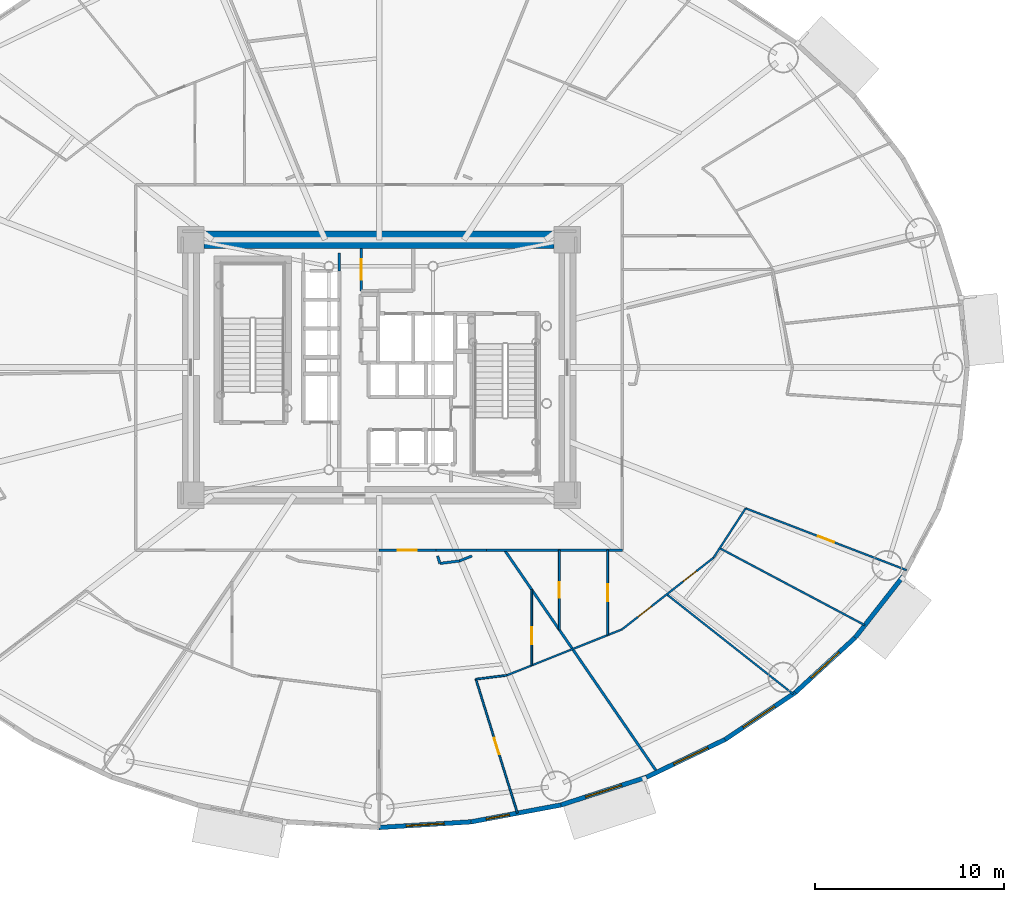
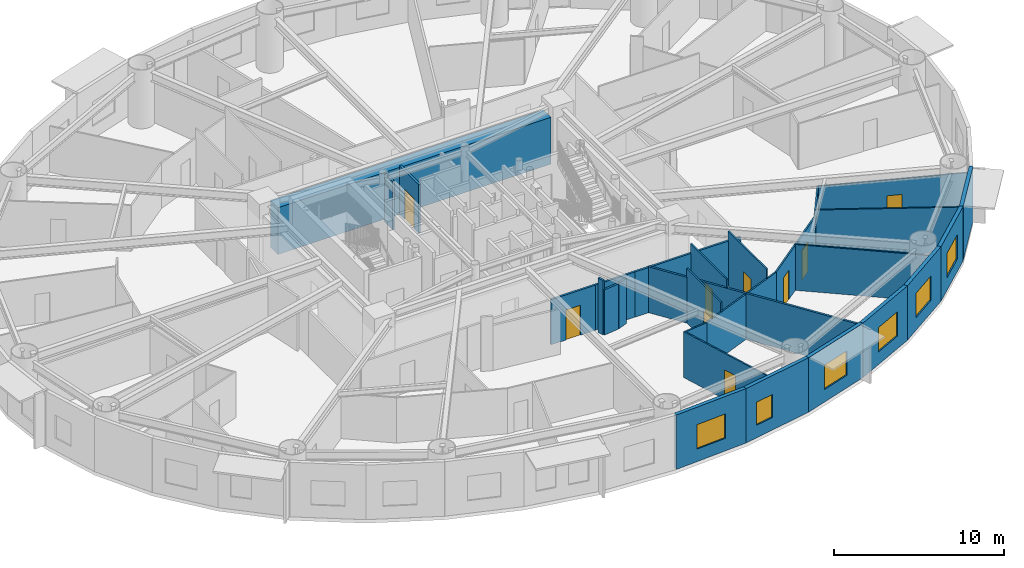
# One storey, part 10 of 21: 28 walls, 9 doors, 6 windows, 15 openings.
"""IFC4 building model written with IfcOpenShell, lengths in metres."""

from ifc_helpers import new_model, si_unit, direction, frame, frame_2d, origin, origin_2d, place, context, subcontext, project, spatial, rectangle, extrude, source, transform, mapped, material, layer, layer_set, type_object, element, fill, save


model = new_model("IFC4")

# Units and contexts
model_context = context("Model", 3, precision=1e-05, world=origin(), true_north=direction((0.0, 1.0)))
body_context = subcontext(model_context, "Body", "Model", "MODEL_VIEW")
ifc_project = project(units=[si_unit("LENGTHUNIT", "METRE"), si_unit("AREAUNIT", "SQUARE_METRE"), si_unit("VOLUMEUNIT", "CUBIC_METRE"), si_unit("PLANEANGLEUNIT", "RADIAN"), si_unit("MASSUNIT", "GRAM", prefix="KILO")], contexts=[model_context])

# Site, building, storey
site_placement = place(None, origin())
site = spatial("IfcSite", under=ifc_project, at=site_placement, CompositionType="ELEMENT")
building_placement = place(site_placement, origin())
building = spatial("IfcBuilding", under=site, at=building_placement, Name="Linh Dai School and Residence Tower", CompositionType="ELEMENT")
storey_placement = place(building_placement, frame((0.0, 0.0, 82.800048828125)))
storey = spatial("IfcBuildingStorey", under=building, at=storey_placement, Name="L19", CompositionType="ELEMENT", Elevation=82.800048828125)

# Wall, opening, window
ifc_material_1 = material(Name="Precast Concrete B45 (C35/45)", Category="concrete")
ifc_layer_1 = layer(ifc_material_1, 0.239990234375)
ifc_layer_set_1 = layer_set([ifc_layer_1], Name="Precast Concrete B45 (C35/45)")
wall_type_1 = type_object("IfcWallType", Name="EW-TC-240", PredefinedType="SOLIDWALL", material=ifc_layer_set_1)
wall_1_placement = place(storey_placement, frame((40.865478515625, 2.994873046875, 0.0), z_axis=(0.0, 0.0, 1.0), x_axis=(-0.998106954071, -0.061502099433, 0.0)))
wall_1 = element("IfcWall", 1, at=wall_1_placement, inside=storey, type_object=wall_type_1, Name="L19 Terracotta Exterior Wall 31", PredefinedType="SOLIDWALL", context=body_context, shape_type="SweptSolid", body=[
    extrude(rectangle(XDim=4.874755859375, YDim=0.239990234375, at=frame_2d((2.4375, 0.0))), origin(), (0.0, 0.0, 1.0), 3.89990234375),
])
opening_1_placement = place(wall_1_placement, frame((1.437255859375, 0.0, 0.89990234375)))
opening_1 = element("IfcOpeningElement", 2, at=opening_1_placement, cuts=wall_1, Name="Opening W1", PredefinedType="OPENING", context=body_context, shape_type="SweptSolid", body=[
    extrude(rectangle(XDim=2.0, YDim=1.75, at=origin_2d()), frame((1.0, 0.1298828125, 0.875), z_axis=(0.0, -1.0, 0.0), x_axis=(1.0, 0.0, 0.0)), (0.0, 0.0, 1.0), 0.260009765625),
])
ifc_material_2 = material(Name="Double Low-E Insulated Glazing", Category="glass")
window_type_1 = type_object("IfcWindowType", Name="WN-RES-2000x1750", PartitioningType="DOUBLE_PANEL_VERTICAL", PredefinedType="WINDOW", material=ifc_material_2)
shared_shape_1 = source(origin(), body_context, "Body", "SweptSolid", [
    extrude(rectangle(XDim=2.0, YDim=1.75, at=origin_2d()), frame((1.0, 0.030029296875, 0.875), z_axis=(0.0, -1.0, 0.0), x_axis=(1.0, 0.0, 0.0)), (0.0, 0.0, 1.0), 0.06005859375),
])
window_1_placement = place(opening_1_placement, origin())
window_1 = element("IfcWindow", 3, at=window_1_placement, inside=storey, type_object=window_type_1, Name="L19 Exterior Window 31.1", OverallHeight=1.75, OverallWidth=2.0, PartitioningType="DOUBLE_PANEL_VERTICAL", PredefinedType="WINDOW", context=body_context, shape_type="MappedRepresentation", body=[
    mapped(shared_shape_1, transform((0.0, 0.0, 0.0), x_axis=(1.0, 0.0, 0.0), y_axis=(0.0, 1.0, 0.0), z_axis=(0.0, 0.0, 1.0), scale=1.0)),
])
fill(opening_1, window_1)

wall_2_placement = place(storey_placement, frame((45.610595703125, 3.88671875, 0.0), z_axis=(0.0, 0.0, 1.0), x_axis=(-0.982791952378, -0.184715939598, 0.0)))
wall_2 = element("IfcWall", 4, at=wall_2_placement, inside=storey, type_object=wall_type_1, Name="L19 Terracotta Exterior Wall 32", PredefinedType="SOLIDWALL", context=body_context, shape_type="SweptSolid", body=[
    extrude(rectangle(XDim=4.828125, YDim=0.239990234375, at=frame_2d((2.4140625, 0.0))), origin(), (0.0, 0.0, 1.0), 3.89990234375),
])
opening_2_placement = place(wall_2_placement, frame((2.773193359375, 0.0, 0.89990234375)))
opening_2 = element("IfcOpeningElement", 5, at=opening_2_placement, cuts=wall_2, Name="Opening W3", PredefinedType="OPENING", context=body_context, shape_type="SweptSolid", body=[
    extrude(rectangle(XDim=1.25, YDim=1.64990234375, at=origin_2d()), frame((0.625, 0.1298828125, 0.824951171875), z_axis=(0.0, -1.0, 0.0), x_axis=(1.0, 0.0, 0.0)), (0.0, 0.0, 1.0), 0.260009765625),
])
window_type_2 = type_object("IfcWindowType", Name="WN-RES-1250x1650", PartitioningType="SINGLE_PANEL", PredefinedType="WINDOW", material=ifc_material_2)
shared_shape_2 = source(origin(), body_context, "Body", "SweptSolid", [
    extrude(rectangle(XDim=1.25, YDim=1.64990234375, at=origin_2d()), frame((0.625, 0.030029296875, 0.824951171875), z_axis=(0.0, -1.0, 0.0), x_axis=(1.0, 0.0, 0.0)), (0.0, 0.0, 1.0), 0.06005859375),
])
window_2_placement = place(opening_2_placement, origin())
window_2 = element("IfcWindow", 6, at=window_2_placement, inside=storey, type_object=window_type_2, Name="L19 Exterior Window 32.1", OverallHeight=1.64990234375, OverallWidth=1.25, PartitioningType="SINGLE_PANEL", PredefinedType="WINDOW", context=body_context, shape_type="MappedRepresentation", body=[
    mapped(shared_shape_2, transform((0.0, 0.0, 0.0), x_axis=(1.0, 0.0, 0.0), y_axis=(0.0, 1.0, 0.0), z_axis=(0.0, 0.0, 1.0), scale=1.0)),
])
fill(opening_2, window_2)

wall_3_placement = place(storey_placement, frame((50.1181640625, 5.348876953125, 0.0), z_axis=(0.0, 0.0, 1.0), x_axis=(-0.951207699013, -0.308551313946, 0.0)))
wall_3 = element("IfcWall", 7, at=wall_3_placement, inside=storey, type_object=wall_type_1, Name="L19 Terracotta Exterior Wall 33", PredefinedType="SOLIDWALL", context=body_context, shape_type="SweptSolid", body=[
    extrude(rectangle(XDim=4.73876953125, YDim=0.239990234375, at=frame_2d((2.369384765625, 0.0))), origin(), (0.0, 0.0, 1.0), 3.89990234375),
])
opening_3_placement = place(wall_3_placement, frame((1.369384765625, 0.0, 0.89990234375)))
opening_3 = element("IfcOpeningElement", 8, at=opening_3_placement, cuts=wall_3, Name="Opening W1", PredefinedType="OPENING", context=body_context, shape_type="SweptSolid", body=[
    extrude(rectangle(XDim=2.0, YDim=1.75, at=origin_2d()), frame((1.0, 0.1298828125, 0.875), z_axis=(0.0, -1.0, 0.0), x_axis=(1.0, 0.0, 0.0)), (0.0, 0.0, 1.0), 0.260009765625),
])
window_3_placement = place(opening_3_placement, origin())
window_3 = element("IfcWindow", 9, at=window_3_placement, inside=storey, type_object=window_type_1, Name="L19 Exterior Window 33.1", OverallHeight=1.75, OverallWidth=2.0, PartitioningType="DOUBLE_PANEL_VERTICAL", PredefinedType="WINDOW", context=body_context, shape_type="MappedRepresentation", body=[
    mapped(shared_shape_1, transform((0.0, 0.0, 0.0), x_axis=(1.0, 0.0, 0.0), y_axis=(0.0, 1.0, 0.0), z_axis=(0.0, 0.0, 1.0), scale=1.0)),
])
fill(opening_3, window_3)

wall_4_placement = place(storey_placement, frame((54.277099609375, 7.34423828125, 0.0), z_axis=(0.0, 0.0, 1.0), x_axis=(-0.901601503137, -0.432567601123, 0.0)))
wall_4 = element("IfcWall", 10, at=wall_4_placement, inside=storey, type_object=wall_type_1, Name="L19 Terracotta Exterior Wall 34", PredefinedType="SOLIDWALL", context=body_context, shape_type="SweptSolid", body=[
    extrude(rectangle(XDim=4.61279296875, YDim=0.239990234375, at=frame_2d((2.306396484375, 0.0))), origin(), (0.0, 0.0, 1.0), 3.89990234375),
])
opening_4_placement = place(wall_4_placement, frame((1.004150390625, 0.0, 0.89990234375)))
opening_4 = element("IfcOpeningElement", 11, at=opening_4_placement, cuts=wall_4, Name="Opening W1", PredefinedType="OPENING", context=body_context, shape_type="SweptSolid", body=[
    extrude(rectangle(XDim=2.0, YDim=1.75, at=origin_2d()), frame((1.0, 0.1298828125, 0.875), z_axis=(0.0, -1.0, 0.0), x_axis=(1.0, 0.0, 0.0)), (0.0, 0.0, 1.0), 0.260009765625),
])
window_4_placement = place(opening_4_placement, origin())
window_4 = element("IfcWindow", 12, at=window_4_placement, inside=storey, type_object=window_type_1, Name="L19 Exterior Window 34.1", OverallHeight=1.75, OverallWidth=2.0, PartitioningType="DOUBLE_PANEL_VERTICAL", PredefinedType="WINDOW", context=body_context, shape_type="MappedRepresentation", body=[
    mapped(shared_shape_1, transform((0.0, 0.0, 0.0), x_axis=(1.0, 0.0, 0.0), y_axis=(0.0, 1.0, 0.0), z_axis=(0.0, 0.0, 1.0), scale=1.0)),
])
fill(opening_4, window_4)

wall_5_placement = place(storey_placement, frame((57.984619140625, 9.82373046875, 0.0), z_axis=(0.0, 0.0, 1.0), x_axis=(-0.831240982525, -0.555912249343, 0.0)))
wall_5 = element("IfcWall", 13, at=wall_5_placement, inside=storey, type_object=wall_type_1, Name="L19 Terracotta Exterior Wall 35", PredefinedType="SOLIDWALL", context=body_context, shape_type="SweptSolid", body=[
    extrude(rectangle(XDim=4.460205078125, YDim=0.239990234375, at=frame_2d((2.22998046875, 0.0))), origin(), (0.0, 0.0, 1.0), 3.89990234375),
])
opening_5_placement = place(wall_5_placement, frame((1.3125, 0.0, 0.89990234375)))
opening_5 = element("IfcOpeningElement", 14, at=opening_5_placement, cuts=wall_5, Name="Opening W1", PredefinedType="OPENING", context=body_context, shape_type="SweptSolid", body=[
    extrude(rectangle(XDim=2.0, YDim=1.75, at=origin_2d()), frame((1.0, 0.1298828125, 0.875), z_axis=(0.0, -1.0, 0.0), x_axis=(1.0, 0.0, 0.0)), (0.0, 0.0, 1.0), 0.260009765625),
])
window_5_placement = place(opening_5_placement, origin())
window_5 = element("IfcWindow", 15, at=window_5_placement, inside=storey, type_object=window_type_1, Name="L19 Exterior Window 35.1", OverallHeight=1.75, OverallWidth=2.0, PartitioningType="DOUBLE_PANEL_VERTICAL", PredefinedType="WINDOW", context=body_context, shape_type="MappedRepresentation", body=[
    mapped(shared_shape_1, transform((0.0, 0.0, 0.0), x_axis=(1.0, 0.0, 0.0), y_axis=(0.0, 1.0, 0.0), z_axis=(0.0, 0.0, 1.0), scale=1.0)),
])
fill(opening_5, window_5)

wall_6_placement = place(storey_placement, frame((61.149658203125, 12.725341796875, 0.0), z_axis=(0.0, 0.0, 1.0), x_axis=(-0.737116376281, -0.67576582321, 0.0)))
wall_6 = element("IfcWall", 16, at=wall_6_placement, inside=storey, type_object=wall_type_1, Name="L19 Terracotta Exterior Wall 36", PredefinedType="SOLIDWALL", context=body_context, shape_type="SweptSolid", body=[
    extrude(rectangle(XDim=4.293701171875, YDim=0.239990234375, at=frame_2d((2.14697265625, 0.0))), origin(), (0.0, 0.0, 1.0), 3.89990234375),
])
opening_6_placement = place(wall_6_placement, frame((1.147216796875, 0.0, 0.89990234375)))
opening_6 = element("IfcOpeningElement", 17, at=opening_6_placement, cuts=wall_6, Name="Opening W1", PredefinedType="OPENING", context=body_context, shape_type="SweptSolid", body=[
    extrude(rectangle(XDim=2.0, YDim=1.75, at=origin_2d()), frame((1.0, 0.1298828125, 0.875), z_axis=(0.0, -1.0, 0.0), x_axis=(1.0, 0.0, 0.0)), (0.0, 0.0, 1.0), 0.260009765625),
])
window_6_placement = place(opening_6_placement, origin())
window_6 = element("IfcWindow", 18, at=window_6_placement, inside=storey, type_object=window_type_1, Name="L19 Exterior Window 36.1", OverallHeight=1.75, OverallWidth=2.0, PartitioningType="DOUBLE_PANEL_VERTICAL", PredefinedType="WINDOW", context=body_context, shape_type="MappedRepresentation", body=[
    mapped(shared_shape_1, transform((0.0, 0.0, 0.0), x_axis=(1.0, 0.0, 0.0), y_axis=(0.0, 1.0, 0.0), z_axis=(0.0, 0.0, 1.0), scale=1.0)),
])
fill(opening_6, window_6)

# Wall
wall_7_placement = place(storey_placement, frame((63.694580078125, 15.977294921875, 0.0), z_axis=(0.0, 0.0, 1.0), x_axis=(-0.616295508253, -0.787514981767, 0.0)))
element("IfcWall", 19, at=wall_7_placement, inside=storey, type_object=wall_type_1, Name="L19 Terracotta Exterior Wall 37", PredefinedType="SOLIDWALL", context=body_context, shape_type="SweptSolid", body=[
    extrude(rectangle(XDim=4.12939453125, YDim=0.239990234375, at=frame_2d((2.064697265625, 0.0))), origin(), (0.0, 0.0, 1.0), 3.89990234375),
])

# Wall, opening, door
ifc_material_3 = material(Name="Autoclaved Aerated Concrete Blockwork", Category="masonry")
ifc_layer_2 = layer(ifc_material_3, 0.135009765625)
ifc_layer_set_2 = layer_set([ifc_layer_2], Name="Autoclaved Aerated Concrete Blockwork")
wall_type_2 = type_object("IfcWallType", Name="IW-CORR-135-EI90", PredefinedType="PARTITIONING", material=ifc_layer_set_2)
wall_8_placement = place(storey_placement, frame((35.050048828125, 31.050048828125, 0.0), z_axis=(0.0, 0.0, 1.0), x_axis=(0.0, 1.0, 0.0)))
wall_8 = element("IfcWall", 20, at=wall_8_placement, inside=storey, type_object=wall_type_2, Name="L19 Interior Partition Wall 046", PredefinedType="PARTITIONING", context=body_context, shape_type="SweptSolid", body=[
    extrude(rectangle(XDim=2.25, YDim=0.135009765625, at=frame_2d((1.125, 0.0))), origin(), (0.0, 0.0, 1.0), 3.48486328125),
])
opening_7_placement = place(wall_8_placement, frame((0.574951171875, 0.0, 0.0)))
opening_7 = element("IfcOpeningElement", 21, at=opening_7_placement, cuts=wall_8, Name="Opening D07", PredefinedType="OPENING", context=body_context, shape_type="SweptSolid", body=[
    extrude(rectangle(XDim=1.10009765625, YDim=2.14990234375, at=origin_2d()), frame((0.550048828125, 0.07763671875, 1.074951171875), z_axis=(0.0, -1.0, 0.0), x_axis=(1.0, 0.0, 0.0)), (0.0, 0.0, 1.0), 0.155029296875),
])
ifc_material_4 = material(Name="Fire-Rated Louvred Steel Plant Door", Category="steel")
door_type_1 = type_object("IfcDoorType", Name="DR-PLT-1100x2150-FD60S", OperationType="NOTDEFINED", PredefinedType="DOOR", material=ifc_material_4)
shared_shape_3 = source(origin(), body_context, "Body", "SweptSolid", [
    extrude(rectangle(XDim=1.10009765625, YDim=2.14990234375, at=origin_2d()), frame((0.550048828125, 0.02490234375, 1.074951171875), z_axis=(0.0, -1.0, 0.0), x_axis=(1.0, 0.0, 0.0)), (0.0, 0.0, 1.0), 0.050048828125),
])
door_1_placement = place(opening_7_placement, origin())
door_1 = element("IfcDoor", 22, at=door_1_placement, inside=storey, type_object=door_type_1, Name="L19 North Telecom Switchroom Door", OperationType="SINGLE_SWING_LEFT", OverallHeight=2.14990234375, OverallWidth=1.10009765625, PredefinedType="DOOR", context=body_context, shape_type="MappedRepresentation", body=[
    mapped(shared_shape_3, transform((0.0, 0.0, 0.0), x_axis=(1.0, 0.0, 0.0), y_axis=(0.0, 1.0, 0.0), z_axis=(0.0, 0.0, 1.0), scale=1.0)),
])
fill(opening_7, door_1)

wall_9_placement = place(storey_placement, frame((36.0, 17.35009765625, 0.0), z_axis=(0.0, 0.0, 1.0), x_axis=(1.0, 0.0, 0.0)))
wall_9 = element("IfcWall", 23, at=wall_9_placement, inside=storey, type_object=wall_type_2, Name="L19 Interior Partition Wall 056", PredefinedType="PARTITIONING", context=body_context, shape_type="SweptSolid", body=[
    extrude(rectangle(XDim=2.995849609375, YDim=0.135009765625, at=frame_2d((1.498046875, 0.0))), origin(), (0.0, 0.0, 1.0), 3.23486328125),
])
opening_8_placement = place(wall_9_placement, frame((0.997802734375, 0.0, 0.0)))
opening_8 = element("IfcOpeningElement", 24, at=opening_8_placement, cuts=wall_9, Name="Opening D03", PredefinedType="OPENING", context=body_context, shape_type="SweptSolid", body=[
    extrude(rectangle(XDim=1.0, YDim=2.14990234375, at=origin_2d()), frame((0.5, 0.07763671875, 1.074951171875), z_axis=(0.0, -1.0, 0.0), x_axis=(1.0, 0.0, 0.0)), (0.0, 0.0, 1.0), 0.155029296875),
])
ifc_material_5 = material(Name="Fire-Rated Solid Timber Entrance Door", Category="wood")
door_type_2 = type_object("IfcDoorType", Name="DR-FLAT-1000x2150-FD60S", OperationType="NOTDEFINED", PredefinedType="DOOR", material=ifc_material_5)
shared_shape_4 = source(origin(), body_context, "Body", "SweptSolid", [
    extrude(rectangle(XDim=1.0, YDim=2.14990234375, at=origin_2d()), frame((0.5, 0.02490234375, 1.074951171875), z_axis=(0.0, -1.0, 0.0), x_axis=(1.0, 0.0, 0.0)), (0.0, 0.0, 1.0), 0.050048828125),
])
door_2_placement = place(opening_8_placement, origin())
door_2 = element("IfcDoor", 25, at=door_2_placement, inside=storey, type_object=door_type_2, Name="L19 U1903 Apartment Entrance Door", OperationType="SINGLE_SWING_LEFT", OverallHeight=2.14990234375, OverallWidth=1.0, PredefinedType="DOOR", context=body_context, shape_type="MappedRepresentation", body=[
    mapped(shared_shape_4, transform((0.0, 0.0, 0.0), x_axis=(1.0, 0.0, 0.0), y_axis=(0.0, 1.0, 0.0), z_axis=(0.0, 0.0, 1.0), scale=1.0)),
])
fill(opening_8, door_2)

# Walls
wall_10_placement = place(storey_placement, frame((41.6787109375, 17.35009765625, 0.0), z_axis=(0.0, 0.0, 1.0), x_axis=(1.0, 0.0, 0.0)))
element("IfcWall", 26, at=wall_10_placement, inside=storey, type_object=wall_type_2, Name="L19 Interior Partition Wall 074", PredefinedType="PARTITIONING", context=body_context, shape_type="SweptSolid", body=[
    extrude(rectangle(XDim=7.17138671875, YDim=0.135009765625, at=frame_2d((3.585693359375, 0.0))), origin(), (0.0, 0.0, 1.0), 3.23486328125),
])
wall_11_placement = place(storey_placement, frame((42.630615234375, 17.35009765625, 0.0), z_axis=(0.0, 0.0, 1.0), x_axis=(0.566294409921, -0.824203034023, 0.0)))
element("IfcWall", 27, at=wall_11_placement, inside=storey, type_object=wall_type_2, Name="L19 Interior Partition Wall 076", PredefinedType="PARTITIONING", context=body_context, shape_type="SweptSolid", body=[
    extrude(rectangle(XDim=14.234375, YDim=0.135009765625, at=frame_2d((7.1171875, 0.0))), origin(), (0.0, 0.0, 1.0), 3.284912109375),
])
wall_12_placement = place(storey_placement, frame((33.89990234375, 32.110107421875, 0.0), z_axis=(0.0, 0.0, 1.0), x_axis=(0.0, 1.0, 0.0)))
element("IfcWall", 28, at=wall_12_placement, inside=storey, type_object=wall_type_2, Name="L19 Interior Partition Wall 111", PredefinedType="PARTITIONING", context=body_context, shape_type="SweptSolid", body=[
    extrude(rectangle(XDim=0.929931640625, YDim=0.135009765625, at=frame_2d((0.46484375, 0.0))), origin(), (0.0, 0.0, 1.0), 3.48486328125),
])
wall_13_placement = place(storey_placement, frame((41.668701171875, 17.35009765625, 0.0), z_axis=(0.0, 0.0, 1.0), x_axis=(-1.0, 0.0, 0.0)))
element("IfcWall", 29, at=wall_13_placement, inside=storey, type_object=wall_type_2, Name="L19 Interior Partition Wall 115", PredefinedType="PARTITIONING", context=body_context, shape_type="SweptSolid", body=[
    extrude(rectangle(XDim=2.662841796875, YDim=0.135009765625, at=frame_2d((1.33154296875, 0.0))), origin(), (0.0, 0.0, 1.0), 3.23486328125),
])
wall_14_placement = place(storey_placement, frame((39.09130859375, 17.04248046875, 0.0), z_axis=(0.0, 0.0, 1.0), x_axis=(0.296585781617, -0.955006216808, 0.0)))
element("IfcWall", 30, at=wall_14_placement, inside=storey, type_object=wall_type_2, Name="L19 Interior Partition Wall 134", PredefinedType="PARTITIONING", context=body_context, shape_type="SweptSolid", body=[
    extrude(rectangle(XDim=0.41162109375, YDim=0.135009765625, at=frame_2d((0.205810546875, 0.0))), origin(), (0.0, 0.0, 1.0), 3.89990234375),
])
wall_15_placement = place(storey_placement, frame((39.21337890625, 16.6494140625, 0.0), z_axis=(0.0, 0.0, 1.0), x_axis=(0.992414944826, 0.122933222876, 0.0)))
element("IfcWall", 31, at=wall_15_placement, inside=storey, type_object=wall_type_2, Name="L19 Interior Partition Wall 135", PredefinedType="PARTITIONING", context=body_context, shape_type="SweptSolid", body=[
    extrude(rectangle(XDim=1.03662109375, YDim=0.135009765625, at=frame_2d((0.518310546875, 0.0))), origin(), (0.0, 0.0, 1.0), 3.23486328125),
])
wall_16_placement = place(storey_placement, frame((40.2421875, 16.77685546875, 0.0), z_axis=(0.0, 0.0, 1.0), x_axis=(0.928805178175, 0.370568402587, 0.0)))
element("IfcWall", 32, at=wall_16_placement, inside=storey, type_object=wall_type_2, Name="L19 Interior Partition Wall 136", PredefinedType="PARTITIONING", context=body_context, shape_type="SweptSolid", body=[
    extrude(rectangle(XDim=0.716796875, YDim=0.135009765625, at=frame_2d((0.3583984375, 0.0))), origin(), (0.0, 0.0, 1.0), 3.23486328125),
])
ifc_material_6 = material(Name="Gypsum Plasterboard Acoustic Stud Partition", Category="masonry")
ifc_layer_3 = layer(ifc_material_6, 0.10009765625)
ifc_layer_set_3 = layer_set([ifc_layer_3], Name="Gypsum Plasterboard Acoustic Stud Partition")
wall_type_3 = type_object("IfcWallType", Name="IW-UNIT-100", PredefinedType="PARTITIONING", material=ifc_layer_set_3)
wall_17_placement = place(storey_placement, frame((41.112060546875, 10.532958984375, 0.0), z_axis=(0.0, 0.0, 1.0), x_axis=(0.992389049993, 0.123142086442, 0.0)))
element("IfcWall", 33, at=wall_17_placement, inside=storey, type_object=wall_type_3, Name="L19 Interior Partition Wall 072", PredefinedType="PARTITIONING", context=body_context, shape_type="SweptSolid", body=[
    extrude(rectangle(XDim=1.6494140625, YDim=0.10009765625, at=frame_2d((0.82470703125, 0.0))), origin(), (0.0, 0.0, 1.0), 3.23486328125),
])

# Wall, opening, door
wall_18_placement = place(storey_placement, frame((41.112060546875, 10.532958984375, 0.0), z_axis=(0.0, 0.0, 1.0), x_axis=(0.296478934609, -0.955039392556, 0.0)))
wall_18 = element("IfcWall", 34, at=wall_18_placement, inside=storey, type_object=wall_type_3, Name="L19 Interior Partition Wall 073", PredefinedType="PARTITIONING", context=body_context, shape_type="SweptSolid", body=[
    extrude(rectangle(XDim=7.4169921875, YDim=0.10009765625, at=frame_2d((3.70849609375, 0.0))), origin(), (0.0, 0.0, 1.0), 3.284912109375),
])
opening_9_placement = place(wall_18_placement, frame((3.258544921875, 0.0, 0.0)))
opening_9 = element("IfcOpeningElement", 35, at=opening_9_placement, cuts=wall_18, Name="Opening D05", PredefinedType="OPENING", context=body_context, shape_type="SweptSolid", body=[
    extrude(rectangle(XDim=0.89990234375, YDim=2.10009765625, at=origin_2d()), frame((0.449951171875, 0.06005859375, 1.050048828125), z_axis=(0.0, -1.0, 0.0), x_axis=(1.0, 0.0, 0.0)), (0.0, 0.0, 1.0), 0.1201171875),
])
ifc_material_7 = material(Name="Engineered Timber Internal Door", Category="wood")
door_type_3 = type_object("IfcDoorType", Name="DR-INT-900x2100", OperationType="NOTDEFINED", PredefinedType="DOOR", material=ifc_material_7)
shared_shape_5 = source(origin(), body_context, "Body", "SweptSolid", [
    extrude(rectangle(XDim=0.89990234375, YDim=2.10009765625, at=origin_2d()), frame((0.449951171875, 0.02490234375, 1.050048828125), z_axis=(0.0, -1.0, 0.0), x_axis=(1.0, 0.0, 0.0)), (0.0, 0.0, 1.0), 0.050048828125),
])
door_3_placement = place(opening_9_placement, origin())
door_3 = element("IfcDoor", 36, at=door_3_placement, inside=storey, type_object=door_type_3, Name="L19 Apartment U1903 Principal Bedroom 3 Door", OperationType="SINGLE_SWING_RIGHT", OverallHeight=2.10009765625, OverallWidth=0.89990234375, PredefinedType="DOOR", context=body_context, shape_type="MappedRepresentation", body=[
    mapped(shared_shape_5, transform((0.0, 0.0, 0.0), x_axis=(1.0, 0.0, 0.0), y_axis=(0.0, 1.0, 0.0), z_axis=(0.0, 0.0, 1.0), scale=1.0)),
])
fill(opening_9, door_3)

# Wall
wall_19_placement = place(storey_placement, frame((42.7490234375, 10.736083984375, 0.0), z_axis=(0.0, 0.0, 1.0), x_axis=(0.928807683782, 0.370562122386, 0.0)))
element("IfcWall", 37, at=wall_19_placement, inside=storey, type_object=wall_type_3, Name="L19 Interior Partition Wall 077", PredefinedType="PARTITIONING", context=body_context, shape_type="SweptSolid", body=[
    extrude(rectangle(XDim=6.5546875, YDim=0.10009765625, at=frame_2d((3.27734375, 0.0))), origin(), (0.0, 0.0, 1.0), 3.23486328125),
])

# Wall, opening, door
wall_20_placement = place(storey_placement, frame((44.063720703125, 11.260498046875, 0.0), z_axis=(0.0, 0.0, 1.0), x_axis=(0.0, 1.0, 0.0)))
wall_20 = element("IfcWall", 38, at=wall_20_placement, inside=storey, type_object=wall_type_3, Name="L19 Interior Partition Wall 079", PredefinedType="PARTITIONING", context=body_context, shape_type="SweptSolid", body=[
    extrude(rectangle(XDim=4.003662109375, YDim=0.10009765625, at=frame_2d((2.001953125, 0.0))), origin(), (0.0, 0.0, 1.0), 3.89990234375),
])
opening_10_placement = place(wall_20_placement, frame((1.122314453125, 0.0, 0.0)))
opening_10 = element("IfcOpeningElement", 39, at=opening_10_placement, cuts=wall_20, Name="Opening D05", PredefinedType="OPENING", context=body_context, shape_type="SweptSolid", body=[
    extrude(rectangle(XDim=0.89990234375, YDim=2.10009765625, at=origin_2d()), frame((0.449951171875, 0.06005859375, 1.050048828125), z_axis=(0.0, -1.0, 0.0), x_axis=(1.0, 0.0, 0.0)), (0.0, 0.0, 1.0), 0.1201171875),
])
door_4_placement = place(opening_10_placement, origin())
door_4 = element("IfcDoor", 40, at=door_4_placement, inside=storey, type_object=door_type_3, Name="L19 Apartment U1903 Kitchen Door", OperationType="SINGLE_SWING_RIGHT", OverallHeight=2.10009765625, OverallWidth=0.89990234375, PredefinedType="DOOR", context=body_context, shape_type="MappedRepresentation", body=[
    mapped(shared_shape_5, transform((0.0, 0.0, 0.0), x_axis=(1.0, 0.0, 0.0), y_axis=(0.0, 1.0, 0.0), z_axis=(0.0, 0.0, 1.0), scale=1.0)),
])
fill(opening_10, door_4)

wall_21_placement = place(storey_placement, frame((45.5244140625, 13.13818359375, 0.0), z_axis=(0.0, 0.0, 1.0), x_axis=(0.0, 1.0, 0.0)))
wall_21 = element("IfcWall", 41, at=wall_21_placement, inside=storey, type_object=wall_type_3, Name="L19 Interior Partition Wall 081", PredefinedType="PARTITIONING", context=body_context, shape_type="SweptSolid", body=[
    extrude(rectangle(XDim=4.2119140625, YDim=0.10009765625, at=frame_2d((2.10595703125, 0.0))), origin(), (0.0, 0.0, 1.0), 3.89990234375),
])
opening_11_placement = place(wall_21_placement, frame((1.69580078125, 0.0, 0.0)))
opening_11 = element("IfcOpeningElement", 42, at=opening_11_placement, cuts=wall_21, Name="Opening D06", PredefinedType="OPENING", context=body_context, shape_type="SweptSolid", body=[
    extrude(rectangle(XDim=0.820068359375, YDim=2.10009765625, at=origin_2d()), frame((0.41015625, 0.06005859375, 1.050048828125), z_axis=(0.0, -1.0, 0.0), x_axis=(1.0, 0.0, 0.0)), (0.0, 0.0, 1.0), 0.1201171875),
])
ifc_material_8 = material(Name="Moisture-Resistant Timber Bathroom Door", Category="wood")
door_type_4 = type_object("IfcDoorType", Name="DR-WET-820x2100", OperationType="NOTDEFINED", PredefinedType="DOOR", material=ifc_material_8)
shared_shape_6 = source(origin(), body_context, "Body", "SweptSolid", [
    extrude(rectangle(XDim=0.820068359375, YDim=2.10009765625, at=origin_2d()), frame((0.41015625, 0.02490234375, 1.050048828125), z_axis=(0.0, -1.0, 0.0), x_axis=(1.0, 0.0, 0.0)), (0.0, 0.0, 1.0), 0.050048828125),
])
door_5_placement = place(opening_11_placement, origin())
door_5 = element("IfcDoor", 43, at=door_5_placement, inside=storey, type_object=door_type_4, Name="L19 Apartment U1904 Bathroom 1 Door", OperationType="SINGLE_SWING_RIGHT", OverallHeight=2.10009765625, OverallWidth=0.820068359375, PredefinedType="DOOR", context=body_context, shape_type="MappedRepresentation", body=[
    mapped(shared_shape_6, transform((0.0, 0.0, 0.0), x_axis=(1.0, 0.0, 0.0), y_axis=(0.0, 1.0, 0.0), z_axis=(0.0, 0.0, 1.0), scale=1.0)),
])
fill(opening_11, door_5)

wall_22_placement = place(storey_placement, frame((48.071044921875, 12.859375, 0.0), z_axis=(0.0, 0.0, 1.0), x_axis=(0.0, 1.0, 0.0)))
wall_22 = element("IfcWall", 44, at=wall_22_placement, inside=storey, type_object=wall_type_3, Name="L19 Interior Partition Wall 083", PredefinedType="PARTITIONING", context=body_context, shape_type="SweptSolid", body=[
    extrude(rectangle(XDim=4.49072265625, YDim=0.10009765625, at=frame_2d((2.245361328125, 0.0))), origin(), (0.0, 0.0, 1.0), 3.89990234375),
])
opening_12_placement = place(wall_22_placement, frame((1.79541015625, 0.0, 0.0)))
opening_12 = element("IfcOpeningElement", 45, at=opening_12_placement, cuts=wall_22, Name="Opening D05", PredefinedType="OPENING", context=body_context, shape_type="SweptSolid", body=[
    extrude(rectangle(XDim=0.89990234375, YDim=2.10009765625, at=origin_2d()), frame((0.449951171875, 0.06005859375, 1.050048828125), z_axis=(0.0, -1.0, 0.0), x_axis=(1.0, 0.0, 0.0)), (0.0, 0.0, 1.0), 0.1201171875),
])
door_6_placement = place(opening_12_placement, origin())
door_6 = element("IfcDoor", 46, at=door_6_placement, inside=storey, type_object=door_type_3, Name="L19 Apartment U1904 Kitchen Door", OperationType="SINGLE_SWING_LEFT", OverallHeight=2.10009765625, OverallWidth=0.89990234375, PredefinedType="DOOR", context=body_context, shape_type="MappedRepresentation", body=[
    mapped(shared_shape_5, transform((0.0, 0.0, 0.0), x_axis=(1.0, 0.0, 0.0), y_axis=(0.0, 1.0, 0.0), z_axis=(0.0, 0.0, 1.0), scale=1.0)),
])
fill(opening_12, door_6)

# Wall, openings, doors
wall_23_placement = place(storey_placement, frame((48.837158203125, 13.1650390625, 0.0), z_axis=(0.0, 0.0, 1.0), x_axis=(0.787362261728, 0.616490607233, 0.0)))
wall_23 = element("IfcWall", 47, at=wall_23_placement, inside=storey, type_object=wall_type_3, Name="L19 Interior Partition Wall 084", PredefinedType="PARTITIONING", context=body_context, shape_type="SweptSolid", body=[
    extrude(rectangle(XDim=6.13671875, YDim=0.10009765625, at=frame_2d((3.068359375, 0.0))), origin(), (0.0, 0.0, 1.0), 3.23486328125),
])
opening_13_placement = place(wall_23_placement, frame((1.069580078125, 0.0, 0.0)))
opening_13 = element("IfcOpeningElement", 48, at=opening_13_placement, cuts=wall_23, Name="Opening D05", PredefinedType="OPENING", context=body_context, shape_type="SweptSolid", body=[
    extrude(rectangle(XDim=0.89990234375, YDim=2.10009765625, at=origin_2d()), frame((0.449951171875, 0.06005859375, 1.050048828125), z_axis=(0.0, -1.0, 0.0), x_axis=(1.0, 0.0, 0.0)), (0.0, 0.0, 1.0), 0.1201171875),
])
opening_14_placement = place(wall_23_placement, frame((4.097900390625, 0.0, 0.0)))
opening_14 = element("IfcOpeningElement", 49, at=opening_14_placement, cuts=wall_23, Name="Opening D05", PredefinedType="OPENING", context=body_context, shape_type="SweptSolid", body=[
    extrude(rectangle(XDim=0.89990234375, YDim=2.10009765625, at=origin_2d()), frame((0.449951171875, 0.06005859375, 1.050048828125), z_axis=(0.0, -1.0, 0.0), x_axis=(1.0, 0.0, 0.0)), (0.0, 0.0, 1.0), 0.1201171875),
])
door_7_placement = place(opening_13_placement, origin())
door_7 = element("IfcDoor", 50, at=door_7_placement, inside=storey, type_object=door_type_3, Name="L19 Apartment U1904 Principal Bedroom 1 Door", OperationType="SINGLE_SWING_RIGHT", OverallHeight=2.10009765625, OverallWidth=0.89990234375, PredefinedType="DOOR", context=body_context, shape_type="MappedRepresentation", body=[
    mapped(shared_shape_5, transform((0.0, 0.0, 0.0), x_axis=(1.0, 0.0, 0.0), y_axis=(0.0, 1.0, 0.0), z_axis=(0.0, 0.0, 1.0), scale=1.0)),
])
fill(opening_13, door_7)
door_8_placement = place(opening_14_placement, origin())
door_8 = element("IfcDoor", 51, at=door_8_placement, inside=storey, type_object=door_type_3, Name="L19 Apartment U1904 Principal Bedroom 2 Door", OperationType="SINGLE_SWING_LEFT", OverallHeight=2.10009765625, OverallWidth=0.89990234375, PredefinedType="DOOR", context=body_context, shape_type="MappedRepresentation", body=[
    mapped(shared_shape_5, transform((0.0, 0.0, 0.0), x_axis=(1.0, 0.0, 0.0), y_axis=(0.0, 1.0, 0.0), z_axis=(0.0, 0.0, 1.0), scale=1.0)),
])
fill(opening_14, door_8)

# Walls
wall_24_placement = place(storey_placement, frame((51.198486328125, 15.013916015625, 0.0), z_axis=(0.0, 0.0, 1.0), x_axis=(0.785206636592, -0.619233831321, 0.0)))
element("IfcWall", 52, at=wall_24_placement, inside=storey, type_object=wall_type_3, Name="L19 Interior Partition Wall 090", PredefinedType="PARTITIONING", context=body_context, shape_type="SweptSolid", body=[
    extrude(rectangle(XDim=8.506591796875, YDim=0.10009765625, at=frame_2d((4.25341796875, 0.0))), origin(), (0.0, 0.0, 1.0), 3.284912109375),
])
wall_25_placement = place(storey_placement, frame((53.6689453125, 16.9482421875, 0.0), z_axis=(0.0, 0.0, 1.0), x_axis=(0.54539036232, 0.838182171541, 0.0)))
element("IfcWall", 53, at=wall_25_placement, inside=storey, type_object=wall_type_3, Name="L19 Interior Partition Wall 093", PredefinedType="PARTITIONING", context=body_context, shape_type="SweptSolid", body=[
    extrude(rectangle(XDim=3.115966796875, YDim=0.10009765625, at=frame_2d((1.55810546875, 0.0))), origin(), (0.0, 0.0, 1.0), 3.23486328125),
])
wall_26_placement = place(storey_placement, frame((53.997314453125, 17.452880859375, 0.0), z_axis=(0.0, 0.0, 1.0), x_axis=(0.883396518475, -0.468626280896, 0.0)))
element("IfcWall", 54, at=wall_26_placement, inside=storey, type_object=wall_type_3, Name="L19 Interior Partition Wall 095", PredefinedType="PARTITIONING", context=body_context, shape_type="SweptSolid", body=[
    extrude(rectangle(XDim=8.685546875, YDim=0.10009765625, at=frame_2d((4.3427734375, 0.0))), origin(), (0.0, 0.0, 1.0), 3.284912109375),
])

# Wall, opening, door
wall_27_placement = place(storey_placement, frame((55.3681640625, 19.559814453125, 0.0), z_axis=(0.0, 0.0, 1.0), x_axis=(0.933496170306, -0.358587367351, 0.0)))
wall_27 = element("IfcWall", 55, at=wall_27_placement, inside=storey, type_object=wall_type_3, Name="L19 Interior Partition Wall 097", PredefinedType="PARTITIONING", context=body_context, shape_type="SweptSolid", body=[
    extrude(rectangle(XDim=9.10546875, YDim=0.10009765625, at=frame_2d((4.552734375, 0.0))), origin(), (0.0, 0.0, 1.0), 3.23486328125),
])
opening_15_placement = place(wall_27_placement, frame((4.102783203125, 0.0, 0.0)))
opening_15 = element("IfcOpeningElement", 56, at=opening_15_placement, cuts=wall_27, Name="Opening D05", PredefinedType="OPENING", context=body_context, shape_type="SweptSolid", body=[
    extrude(rectangle(XDim=0.89990234375, YDim=2.10009765625, at=origin_2d()), frame((0.449951171875, 0.06005859375, 1.050048828125), z_axis=(0.0, -1.0, 0.0), x_axis=(1.0, 0.0, 0.0)), (0.0, 0.0, 1.0), 0.1201171875),
])
door_9_placement = place(opening_15_placement, origin())
door_9 = element("IfcDoor", 57, at=door_9_placement, inside=storey, type_object=door_type_3, Name="L19 Apartment U1904 Study Door", OperationType="SINGLE_SWING_RIGHT", OverallHeight=2.10009765625, OverallWidth=0.89990234375, PredefinedType="DOOR", context=body_context, shape_type="MappedRepresentation", body=[
    mapped(shared_shape_5, transform((0.0, 0.0, 0.0), x_axis=(1.0, 0.0, 0.0), y_axis=(0.0, 1.0, 0.0), z_axis=(0.0, 0.0, 1.0), scale=1.0)),
])
fill(opening_15, door_9)

# Wall
ifc_material_9 = material(Name="Concrete B60 (C50/60)", Category="concrete")
ifc_layer_4 = layer(ifc_material_9, 0.89990234375)
ifc_layer_set_4 = layer_set([ifc_layer_4], Name="Concrete B60 (C50/60)")
wall_type_4 = type_object("IfcWallType", Name="WL-CORE900", PredefinedType="SHEAR", material=ifc_layer_set_4)
wall_28_placement = place(storey_placement, frame((26.75, 33.75, 0.0), z_axis=(0.0, 0.0, 1.0), x_axis=(1.0, 0.0, 0.0)))
element("IfcWall", 58, at=wall_28_placement, inside=storey, type_object=wall_type_4, Name="L19 Central Core Shear Wall N", PredefinedType="SHEAR", context=body_context, shape_type="SweptSolid", body=[
    extrude(rectangle(XDim=18.5, YDim=0.89990234375, at=frame_2d((9.25, 0.0))), origin(), (0.0, 0.0, 1.0), 3.349853515625),
])

save(model, "model.ifc")
